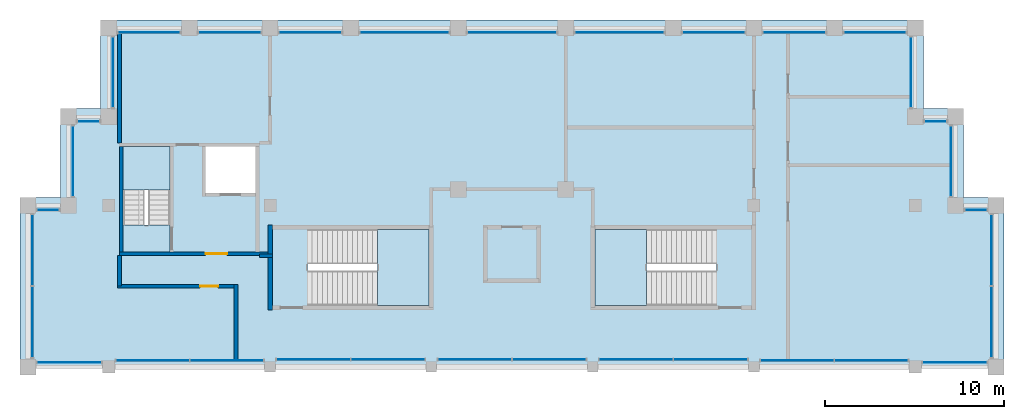
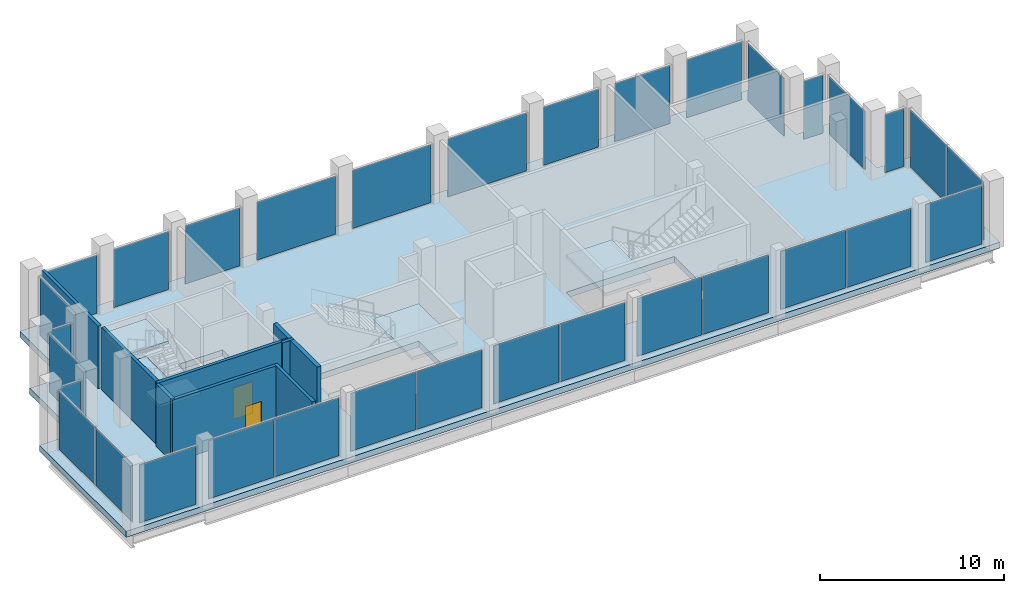
# One storey, part 5 of 8: 33 plates, 8 walls, 6 slabs, 2 doors, 2 openings, 29 elements without a shape of their own.
"""IFC4 building model written with IfcOpenShell, lengths in metres."""

from ifc_helpers import new_model, si_unit, direction, frame, frame_2d, origin, origin_2d, place, context, subcontext, project, spatial, polyline, rectangle, outline, extrude, material, layer, layer_set, type_object, element, fill, aggregate, save


model = new_model("IFC4")

# Units and contexts
model_context = context("Model", 3, precision=1e-05, world=origin(), true_north=direction((0.0, 1.0)))
body_context = subcontext(model_context, "Body", "Model", "MODEL_VIEW")
ifc_project = project(units=[si_unit("LENGTHUNIT", "METRE"), si_unit("AREAUNIT", "SQUARE_METRE"), si_unit("VOLUMEUNIT", "CUBIC_METRE"), si_unit("PLANEANGLEUNIT", "RADIAN"), si_unit("MASSUNIT", "GRAM", prefix="KILO")], contexts=[model_context])

# Site, building, storey
site_placement = place(None, origin())
site = spatial("IfcSite", under=ifc_project, at=site_placement, CompositionType="ELEMENT")
building_placement = place(site_placement, origin())
building = spatial("IfcBuilding", under=site, at=building_placement, Name="Corbelhall Arena Tower", CompositionType="ELEMENT")
storey_placement = place(building_placement, frame((0.0, 0.0, 381.0)))
storey = spatial("IfcBuildingStorey", under=building, at=storey_placement, Name="L82", CompositionType="ELEMENT", Elevation=381.0)

# Curtain wall, plate
ifc_material_1 = material(Name="Aluminium black anodised", Category="aluminium")
ifc_layer_1 = layer(ifc_material_1, 0.179931640625)
ifc_layer_set_1 = layer_set([ifc_layer_1], Name="EV-CW3 Crown glazing")
curtain_wall_type = type_object("IfcCurtainWallType", Name="EV-CW3 Crown glazing", PredefinedType="NOTDEFINED", material=ifc_layer_set_1)
curtain_wall_1_placement = place(storey_placement, origin())
curtain_wall_1 = element("IfcCurtainWall", 1, at=curtain_wall_1_placement, inside=storey, type_object=curtain_wall_type, Name="Curtain wall CW3", PredefinedType="NOTDEFINED")
ifc_material_2 = material(Name="Glass dark tinted laminated", Category="glass")
ifc_layer_2 = layer(ifc_material_2, 0.028076171875)
ifc_layer_set_2 = layer_set([ifc_layer_2], Name="EV-CW3-PANEL")
plate_type = type_object("IfcPlateType", Name="EV-CW3-PANEL", PredefinedType="CURTAIN_PANEL", material=ifc_layer_set_2)
plate_1_placement = place(storey_placement, frame((-24.5, 20.47509765625, 0.074951171875), z_axis=(0.0, 0.0, 1.0), x_axis=(0.0, -1.0, 0.0)))
plate_1 = element("IfcPlate", 2, at=plate_1_placement, type_object=plate_type, Name="CW3 panel 1.1", PredefinedType="CURTAIN_PANEL", context=body_context, shape_type="SweptSolid", body=[
    extrude(rectangle(XDim=3.89990234375, YDim=0.028076171875, at=origin_2d()), origin(), (0.0, 0.0, 1.0), 3.849609375),
])
aggregate(curtain_wall_1, [plate_1])

curtain_wall_2_placement = place(storey_placement, origin())
curtain_wall_2 = element("IfcCurtainWall", 3, at=curtain_wall_2_placement, inside=storey, type_object=curtain_wall_type, Name="Curtain wall CW3B", PredefinedType="NOTDEFINED")
plate_2_placement = place(storey_placement, frame((-25.875, 17.75, 0.074951171875), z_axis=(0.0, 0.0, 1.0), x_axis=(-1.0, 0.0, 0.0)))
plate_2 = element("IfcPlate", 4, at=plate_2_placement, type_object=plate_type, Name="CW3B panel 1.1", PredefinedType="CURTAIN_PANEL", context=body_context, shape_type="SweptSolid", body=[
    extrude(rectangle(XDim=1.199951171875, YDim=0.028076171875, at=origin_2d()), origin(), (0.0, 0.0, 1.0), 3.849609375),
])
aggregate(curtain_wall_2, [plate_2])

# Curtain wall, plates
curtain_wall_3_placement = place(storey_placement, origin())
curtain_wall_3 = element("IfcCurtainWall", 5, at=curtain_wall_3_placement, inside=storey, type_object=curtain_wall_type, Name="Curtain wall CW3", PredefinedType="NOTDEFINED")
plate_3_placement = place(storey_placement, frame((-26.75, 15.50634765625, 0.074951171875), z_axis=(0.0, 0.0, 1.0), x_axis=(0.0, -1.0, 0.0)))
plate_3 = element("IfcPlate", 6, at=plate_3_placement, type_object=plate_type, Name="CW3 panel 1.1", PredefinedType="CURTAIN_PANEL", context=body_context, shape_type="SweptSolid", body=[
    extrude(rectangle(XDim=3.9375, YDim=0.028076171875, at=origin_2d()), origin(), (0.0, 0.0, 1.0), 3.849609375),
])
plate_4_placement = place(storey_placement, frame((-26.75, 11.49365234375, 0.074951171875), z_axis=(0.0, 0.0, 1.0), x_axis=(0.0, -1.0, 0.0)))
plate_4 = element("IfcPlate", 7, at=plate_4_placement, type_object=plate_type, Name="CW3 panel 2.1", PredefinedType="CURTAIN_PANEL", context=body_context, shape_type="SweptSolid", body=[
    extrude(rectangle(XDim=3.9375, YDim=0.028076171875, at=origin_2d()), origin(), (0.0, 0.0, 1.0), 3.849609375),
])
aggregate(curtain_wall_3, [plate_3, plate_4])

# Curtain wall, plate
curtain_wall_4_placement = place(storey_placement, origin())
curtain_wall_4 = element("IfcCurtainWall", 8, at=curtain_wall_4_placement, inside=storey, type_object=curtain_wall_type, Name="Curtain wall CW3E", PredefinedType="NOTDEFINED")
plate_5_placement = place(storey_placement, frame((-24.699951171875, 9.25, 0.074951171875), z_axis=(0.0, 0.0, 1.0), x_axis=(1.0, 0.0, 0.0)))
plate_5 = element("IfcPlate", 9, at=plate_5_placement, type_object=plate_type, Name="CW3E panel 1.1", PredefinedType="CURTAIN_PANEL", context=body_context, shape_type="SweptSolid", body=[
    extrude(rectangle(XDim=3.550048828125, YDim=0.028076171875, at=origin_2d()), origin(), (0.0, 0.0, 1.0), 3.849609375),
])
aggregate(curtain_wall_4, [plate_5])

# Curtain wall, plates
curtain_wall_5_placement = place(storey_placement, origin())
curtain_wall_5 = element("IfcCurtainWall", 10, at=curtain_wall_5_placement, inside=storey, type_object=curtain_wall_type, Name="Curtain wall CW3F", PredefinedType="NOTDEFINED")
plate_6_placement = place(storey_placement, frame((-20.043701171875, 9.35009765625, 0.074951171875), z_axis=(0.0, 0.0, 1.0), x_axis=(1.0, 0.0, 0.0)))
plate_6 = element("IfcPlate", 11, at=plate_6_placement, type_object=plate_type, Name="CW3F panel 1.1", PredefinedType="CURTAIN_PANEL", context=body_context, shape_type="SweptSolid", body=[
    extrude(rectangle(XDim=4.0625, YDim=0.028076171875, at=origin_2d()), origin(), (0.0, 0.0, 1.0), 3.849609375),
])
plate_7_placement = place(storey_placement, frame((-15.90625, 9.35009765625, 0.074951171875), z_axis=(0.0, 0.0, 1.0), x_axis=(1.0, 0.0, 0.0)))
plate_7 = element("IfcPlate", 12, at=plate_7_placement, type_object=plate_type, Name="CW3F panel 2.1", PredefinedType="CURTAIN_PANEL", context=body_context, shape_type="SweptSolid", body=[
    extrude(rectangle(XDim=4.0625, YDim=0.028076171875, at=origin_2d()), origin(), (0.0, 0.0, 1.0), 3.849609375),
])
aggregate(curtain_wall_5, [plate_6, plate_7])

curtain_wall_6_placement = place(storey_placement, origin())
curtain_wall_6 = element("IfcCurtainWall", 13, at=curtain_wall_6_placement, inside=storey, type_object=curtain_wall_type, Name="Curtain wall CW3D", PredefinedType="NOTDEFINED")
plate_8_placement = place(storey_placement, frame((-11.081298828125, 9.39990234375, 0.074951171875), z_axis=(0.0, 0.0, 1.0), x_axis=(1.0, 0.0, 0.0)))
plate_8 = element("IfcPlate", 14, at=plate_8_placement, type_object=plate_type, Name="CW3D panel 1.1", PredefinedType="CURTAIN_PANEL", context=body_context, shape_type="SweptSolid", body=[
    extrude(rectangle(XDim=4.08740234375, YDim=0.028076171875, at=origin_2d()), origin(), (0.0, 0.0, 1.0), 3.849609375),
])
plate_9_placement = place(storey_placement, frame((-6.918701171875, 9.39990234375, 0.074951171875), z_axis=(0.0, 0.0, 1.0), x_axis=(1.0, 0.0, 0.0)))
plate_9 = element("IfcPlate", 15, at=plate_9_placement, type_object=plate_type, Name="CW3D panel 2.1", PredefinedType="CURTAIN_PANEL", context=body_context, shape_type="SweptSolid", body=[
    extrude(rectangle(XDim=4.08740234375, YDim=0.028076171875, at=origin_2d()), origin(), (0.0, 0.0, 1.0), 3.849609375),
])
aggregate(curtain_wall_6, [plate_8, plate_9])

curtain_wall_7_placement = place(storey_placement, origin())
curtain_wall_7 = element("IfcCurtainWall", 16, at=curtain_wall_7_placement, inside=storey, type_object=curtain_wall_type, Name="Curtain wall CW3D", PredefinedType="NOTDEFINED")
plate_10_placement = place(storey_placement, frame((-2.081298828125, 9.39990234375, 0.074951171875), z_axis=(0.0, 0.0, 1.0), x_axis=(1.0, 0.0, 0.0)))
plate_10 = element("IfcPlate", 17, at=plate_10_placement, type_object=plate_type, Name="CW3D panel 1.1", PredefinedType="CURTAIN_PANEL", context=body_context, shape_type="SweptSolid", body=[
    extrude(rectangle(XDim=4.08740234375, YDim=0.028076171875, at=origin_2d()), origin(), (0.0, 0.0, 1.0), 3.849609375),
])
plate_11_placement = place(storey_placement, frame((2.081298828125, 9.39990234375, 0.074951171875), z_axis=(0.0, 0.0, 1.0), x_axis=(1.0, 0.0, 0.0)))
plate_11 = element("IfcPlate", 18, at=plate_11_placement, type_object=plate_type, Name="CW3D panel 2.1", PredefinedType="CURTAIN_PANEL", context=body_context, shape_type="SweptSolid", body=[
    extrude(rectangle(XDim=4.08740234375, YDim=0.028076171875, at=origin_2d()), origin(), (0.0, 0.0, 1.0), 3.849609375),
])
aggregate(curtain_wall_7, [plate_10, plate_11])

curtain_wall_8_placement = place(storey_placement, origin())
curtain_wall_8 = element("IfcCurtainWall", 19, at=curtain_wall_8_placement, inside=storey, type_object=curtain_wall_type, Name="Curtain wall CW3D", PredefinedType="NOTDEFINED")
plate_12_placement = place(storey_placement, frame((6.918701171875, 9.39990234375, 0.074951171875), z_axis=(0.0, 0.0, 1.0), x_axis=(1.0, 0.0, 0.0)))
plate_12 = element("IfcPlate", 20, at=plate_12_placement, type_object=plate_type, Name="CW3D panel 1.1", PredefinedType="CURTAIN_PANEL", context=body_context, shape_type="SweptSolid", body=[
    extrude(rectangle(XDim=4.08740234375, YDim=0.028076171875, at=origin_2d()), origin(), (0.0, 0.0, 1.0), 3.849609375),
])
plate_13_placement = place(storey_placement, frame((11.081298828125, 9.39990234375, 0.074951171875), z_axis=(0.0, 0.0, 1.0), x_axis=(1.0, 0.0, 0.0)))
plate_13 = element("IfcPlate", 21, at=plate_13_placement, type_object=plate_type, Name="CW3D panel 2.1", PredefinedType="CURTAIN_PANEL", context=body_context, shape_type="SweptSolid", body=[
    extrude(rectangle(XDim=4.08740234375, YDim=0.028076171875, at=origin_2d()), origin(), (0.0, 0.0, 1.0), 3.849609375),
])
aggregate(curtain_wall_8, [plate_12, plate_13])

curtain_wall_9_placement = place(storey_placement, origin())
curtain_wall_9 = element("IfcCurtainWall", 22, at=curtain_wall_9_placement, inside=storey, type_object=curtain_wall_type, Name="Curtain wall CW3F", PredefinedType="NOTDEFINED")
plate_14_placement = place(storey_placement, frame((15.90625, 9.35009765625, 0.074951171875), z_axis=(0.0, 0.0, 1.0), x_axis=(1.0, 0.0, 0.0)))
plate_14 = element("IfcPlate", 23, at=plate_14_placement, type_object=plate_type, Name="CW3F panel 1.1", PredefinedType="CURTAIN_PANEL", context=body_context, shape_type="SweptSolid", body=[
    extrude(rectangle(XDim=4.0625, YDim=0.028076171875, at=origin_2d()), origin(), (0.0, 0.0, 1.0), 3.849609375),
])
plate_15_placement = place(storey_placement, frame((20.043701171875, 9.35009765625, 0.074951171875), z_axis=(0.0, 0.0, 1.0), x_axis=(1.0, 0.0, 0.0)))
plate_15 = element("IfcPlate", 24, at=plate_15_placement, type_object=plate_type, Name="CW3F panel 2.1", PredefinedType="CURTAIN_PANEL", context=body_context, shape_type="SweptSolid", body=[
    extrude(rectangle(XDim=4.0625, YDim=0.028076171875, at=origin_2d()), origin(), (0.0, 0.0, 1.0), 3.849609375),
])
aggregate(curtain_wall_9, [plate_14, plate_15])

# Curtain wall, plate
curtain_wall_10_placement = place(storey_placement, origin())
curtain_wall_10 = element("IfcCurtainWall", 25, at=curtain_wall_10_placement, inside=storey, type_object=curtain_wall_type, Name="Curtain wall CW3E", PredefinedType="NOTDEFINED")
plate_16_placement = place(storey_placement, frame((24.699951171875, 9.25, 0.074951171875), z_axis=(0.0, 0.0, 1.0), x_axis=(1.0, 0.0, 0.0)))
plate_16 = element("IfcPlate", 26, at=plate_16_placement, type_object=plate_type, Name="CW3E panel 1.1", PredefinedType="CURTAIN_PANEL", context=body_context, shape_type="SweptSolid", body=[
    extrude(rectangle(XDim=3.550048828125, YDim=0.028076171875, at=origin_2d()), origin(), (0.0, 0.0, 1.0), 3.849609375),
])
aggregate(curtain_wall_10, [plate_16])

# Curtain wall, plates
curtain_wall_11_placement = place(storey_placement, origin())
curtain_wall_11 = element("IfcCurtainWall", 27, at=curtain_wall_11_placement, inside=storey, type_object=curtain_wall_type, Name="Curtain wall CW3", PredefinedType="NOTDEFINED")
plate_17_placement = place(storey_placement, frame((26.75, 11.49365234375, 0.074951171875), z_axis=(0.0, 0.0, 1.0), x_axis=(0.0, 1.0, 0.0)))
plate_17 = element("IfcPlate", 28, at=plate_17_placement, type_object=plate_type, Name="CW3 panel 1.1", PredefinedType="CURTAIN_PANEL", context=body_context, shape_type="SweptSolid", body=[
    extrude(rectangle(XDim=3.9375, YDim=0.028076171875, at=origin_2d()), origin(), (0.0, 0.0, 1.0), 3.849609375),
])
plate_18_placement = place(storey_placement, frame((26.75, 15.50634765625, 0.074951171875), z_axis=(0.0, 0.0, 1.0), x_axis=(0.0, 1.0, 0.0)))
plate_18 = element("IfcPlate", 29, at=plate_18_placement, type_object=plate_type, Name="CW3 panel 2.1", PredefinedType="CURTAIN_PANEL", context=body_context, shape_type="SweptSolid", body=[
    extrude(rectangle(XDim=3.9375, YDim=0.028076171875, at=origin_2d()), origin(), (0.0, 0.0, 1.0), 3.849609375),
])
aggregate(curtain_wall_11, [plate_17, plate_18])

# Curtain wall, plate
curtain_wall_12_placement = place(storey_placement, origin())
curtain_wall_12 = element("IfcCurtainWall", 30, at=curtain_wall_12_placement, inside=storey, type_object=curtain_wall_type, Name="Curtain wall CW3B", PredefinedType="NOTDEFINED")
plate_19_placement = place(storey_placement, frame((25.875, 17.75, 0.074951171875), z_axis=(0.0, 0.0, 1.0), x_axis=(-1.0, 0.0, 0.0)))
plate_19 = element("IfcPlate", 31, at=plate_19_placement, type_object=plate_type, Name="CW3B panel 1.1", PredefinedType="CURTAIN_PANEL", context=body_context, shape_type="SweptSolid", body=[
    extrude(rectangle(XDim=1.199951171875, YDim=0.028076171875, at=origin_2d()), origin(), (0.0, 0.0, 1.0), 3.849609375),
])
aggregate(curtain_wall_12, [plate_19])

curtain_wall_13_placement = place(storey_placement, origin())
curtain_wall_13 = element("IfcCurtainWall", 32, at=curtain_wall_13_placement, inside=storey, type_object=curtain_wall_type, Name="Curtain wall CW3", PredefinedType="NOTDEFINED")
plate_20_placement = place(storey_placement, frame((24.5, 20.47509765625, 0.074951171875), z_axis=(0.0, 0.0, 1.0), x_axis=(0.0, 1.0, 0.0)))
plate_20 = element("IfcPlate", 33, at=plate_20_placement, type_object=plate_type, Name="CW3 panel 1.1", PredefinedType="CURTAIN_PANEL", context=body_context, shape_type="SweptSolid", body=[
    extrude(rectangle(XDim=3.89990234375, YDim=0.028076171875, at=origin_2d()), origin(), (0.0, 0.0, 1.0), 3.849609375),
])
aggregate(curtain_wall_13, [plate_20])

curtain_wall_14_placement = place(storey_placement, origin())
curtain_wall_14 = element("IfcCurtainWall", 34, at=curtain_wall_14_placement, inside=storey, type_object=curtain_wall_type, Name="Curtain wall CW3B", PredefinedType="NOTDEFINED")
plate_21_placement = place(storey_placement, frame((23.625, 22.699951171875, 0.074951171875), z_axis=(0.0, 0.0, 1.0), x_axis=(-1.0, 0.0, 0.0)))
plate_21 = element("IfcPlate", 35, at=plate_21_placement, type_object=plate_type, Name="CW3B panel 1.1", PredefinedType="CURTAIN_PANEL", context=body_context, shape_type="SweptSolid", body=[
    extrude(rectangle(XDim=1.199951171875, YDim=0.028076171875, at=origin_2d()), origin(), (0.0, 0.0, 1.0), 3.849609375),
])
aggregate(curtain_wall_14, [plate_21])

curtain_wall_15_placement = place(storey_placement, origin())
curtain_wall_15 = element("IfcCurtainWall", 36, at=curtain_wall_15_placement, inside=storey, type_object=curtain_wall_type, Name="Curtain wall CW3", PredefinedType="NOTDEFINED")
plate_22_placement = place(storey_placement, frame((22.25, 25.425048828125, 0.074951171875), z_axis=(0.0, 0.0, 1.0), x_axis=(0.0, 1.0, 0.0)))
plate_22 = element("IfcPlate", 37, at=plate_22_placement, type_object=plate_type, Name="CW3 panel 1.1", PredefinedType="CURTAIN_PANEL", context=body_context, shape_type="SweptSolid", body=[
    extrude(rectangle(XDim=3.89990234375, YDim=0.028076171875, at=origin_2d()), origin(), (0.0, 0.0, 1.0), 3.849609375),
])
aggregate(curtain_wall_15, [plate_22])

curtain_wall_16_placement = place(storey_placement, origin())
curtain_wall_16 = element("IfcCurtainWall", 38, at=curtain_wall_16_placement, inside=storey, type_object=curtain_wall_type, Name="Curtain wall CW3A", PredefinedType="NOTDEFINED")
plate_23_placement = place(storey_placement, frame((20.25, 27.64990234375, 0.074951171875), z_axis=(0.0, 0.0, 1.0), x_axis=(-1.0, 0.0, 0.0)))
plate_23 = element("IfcPlate", 39, at=plate_23_placement, type_object=plate_type, Name="CW3A panel 1.1", PredefinedType="CURTAIN_PANEL", context=body_context, shape_type="SweptSolid", body=[
    extrude(rectangle(XDim=3.449951171875, YDim=0.028076171875, at=origin_2d()), origin(), (0.0, 0.0, 1.0), 3.849609375),
])
aggregate(curtain_wall_16, [plate_23])

curtain_wall_17_placement = place(storey_placement, origin())
curtain_wall_17 = element("IfcCurtainWall", 40, at=curtain_wall_17_placement, inside=storey, type_object=curtain_wall_type, Name="Curtain wall CW3A", PredefinedType="NOTDEFINED")
plate_24_placement = place(storey_placement, frame((15.75, 27.64990234375, 0.074951171875), z_axis=(0.0, 0.0, 1.0), x_axis=(-1.0, 0.0, 0.0)))
plate_24 = element("IfcPlate", 41, at=plate_24_placement, type_object=plate_type, Name="CW3A panel 1.1", PredefinedType="CURTAIN_PANEL", context=body_context, shape_type="SweptSolid", body=[
    extrude(rectangle(XDim=3.449951171875, YDim=0.028076171875, at=origin_2d()), origin(), (0.0, 0.0, 1.0), 3.849609375),
])
aggregate(curtain_wall_17, [plate_24])

curtain_wall_18_placement = place(storey_placement, origin())
curtain_wall_18 = element("IfcCurtainWall", 42, at=curtain_wall_18_placement, inside=storey, type_object=curtain_wall_type, Name="Curtain wall CW3A", PredefinedType="NOTDEFINED")
plate_25_placement = place(storey_placement, frame((11.25, 27.64990234375, 0.074951171875), z_axis=(0.0, 0.0, 1.0), x_axis=(-1.0, 0.0, 0.0)))
plate_25 = element("IfcPlate", 43, at=plate_25_placement, type_object=plate_type, Name="CW3A panel 1.1", PredefinedType="CURTAIN_PANEL", context=body_context, shape_type="SweptSolid", body=[
    extrude(rectangle(XDim=3.449951171875, YDim=0.028076171875, at=origin_2d()), origin(), (0.0, 0.0, 1.0), 3.849609375),
])
aggregate(curtain_wall_18, [plate_25])

curtain_wall_19_placement = place(storey_placement, origin())
curtain_wall_19 = element("IfcCurtainWall", 44, at=curtain_wall_19_placement, inside=storey, type_object=curtain_wall_type, Name="Curtain wall CW3C", PredefinedType="NOTDEFINED")
plate_26_placement = place(storey_placement, frame((6.0, 27.64990234375, 0.074951171875), z_axis=(0.0, 0.0, 1.0), x_axis=(-1.0, 0.0, 0.0)))
plate_26 = element("IfcPlate", 45, at=plate_26_placement, type_object=plate_type, Name="CW3C panel 1.1", PredefinedType="CURTAIN_PANEL", context=body_context, shape_type="SweptSolid", body=[
    extrude(rectangle(XDim=4.949951171875, YDim=0.028076171875, at=origin_2d()), origin(), (0.0, 0.0, 1.0), 3.849609375),
])
aggregate(curtain_wall_19, [plate_26])

curtain_wall_20_placement = place(storey_placement, origin())
curtain_wall_20 = element("IfcCurtainWall", 46, at=curtain_wall_20_placement, inside=storey, type_object=curtain_wall_type, Name="Curtain wall CW3C", PredefinedType="NOTDEFINED")
plate_27_placement = place(storey_placement, frame((0.0, 27.64990234375, 0.074951171875), z_axis=(0.0, 0.0, 1.0), x_axis=(-1.0, 0.0, 0.0)))
plate_27 = element("IfcPlate", 47, at=plate_27_placement, type_object=plate_type, Name="CW3C panel 1.1", PredefinedType="CURTAIN_PANEL", context=body_context, shape_type="SweptSolid", body=[
    extrude(rectangle(XDim=4.949951171875, YDim=0.028076171875, at=origin_2d()), origin(), (0.0, 0.0, 1.0), 3.849609375),
])
aggregate(curtain_wall_20, [plate_27])

curtain_wall_21_placement = place(storey_placement, origin())
curtain_wall_21 = element("IfcCurtainWall", 48, at=curtain_wall_21_placement, inside=storey, type_object=curtain_wall_type, Name="Curtain wall CW3C", PredefinedType="NOTDEFINED")
plate_28_placement = place(storey_placement, frame((-6.0, 27.64990234375, 0.074951171875), z_axis=(0.0, 0.0, 1.0), x_axis=(-1.0, 0.0, 0.0)))
plate_28 = element("IfcPlate", 49, at=plate_28_placement, type_object=plate_type, Name="CW3C panel 1.1", PredefinedType="CURTAIN_PANEL", context=body_context, shape_type="SweptSolid", body=[
    extrude(rectangle(XDim=4.949951171875, YDim=0.028076171875, at=origin_2d()), origin(), (0.0, 0.0, 1.0), 3.849609375),
])
aggregate(curtain_wall_21, [plate_28])

curtain_wall_22_placement = place(storey_placement, origin())
curtain_wall_22 = element("IfcCurtainWall", 50, at=curtain_wall_22_placement, inside=storey, type_object=curtain_wall_type, Name="Curtain wall CW3A", PredefinedType="NOTDEFINED")
plate_29_placement = place(storey_placement, frame((-11.25, 27.64990234375, 0.074951171875), z_axis=(0.0, 0.0, 1.0), x_axis=(-1.0, 0.0, 0.0)))
plate_29 = element("IfcPlate", 51, at=plate_29_placement, type_object=plate_type, Name="CW3A panel 1.1", PredefinedType="CURTAIN_PANEL", context=body_context, shape_type="SweptSolid", body=[
    extrude(rectangle(XDim=3.449951171875, YDim=0.028076171875, at=origin_2d()), origin(), (0.0, 0.0, 1.0), 3.849609375),
])
aggregate(curtain_wall_22, [plate_29])

curtain_wall_23_placement = place(storey_placement, origin())
curtain_wall_23 = element("IfcCurtainWall", 52, at=curtain_wall_23_placement, inside=storey, type_object=curtain_wall_type, Name="Curtain wall CW3A", PredefinedType="NOTDEFINED")
plate_30_placement = place(storey_placement, frame((-15.75, 27.64990234375, 0.074951171875), z_axis=(0.0, 0.0, 1.0), x_axis=(-1.0, 0.0, 0.0)))
plate_30 = element("IfcPlate", 53, at=plate_30_placement, type_object=plate_type, Name="CW3A panel 1.1", PredefinedType="CURTAIN_PANEL", context=body_context, shape_type="SweptSolid", body=[
    extrude(rectangle(XDim=3.449951171875, YDim=0.028076171875, at=origin_2d()), origin(), (0.0, 0.0, 1.0), 3.849609375),
])
aggregate(curtain_wall_23, [plate_30])

curtain_wall_24_placement = place(storey_placement, origin())
curtain_wall_24 = element("IfcCurtainWall", 54, at=curtain_wall_24_placement, inside=storey, type_object=curtain_wall_type, Name="Curtain wall CW3A", PredefinedType="NOTDEFINED")
plate_31_placement = place(storey_placement, frame((-20.25, 27.64990234375, 0.074951171875), z_axis=(0.0, 0.0, 1.0), x_axis=(-1.0, 0.0, 0.0)))
plate_31 = element("IfcPlate", 55, at=plate_31_placement, type_object=plate_type, Name="CW3A panel 1.1", PredefinedType="CURTAIN_PANEL", context=body_context, shape_type="SweptSolid", body=[
    extrude(rectangle(XDim=3.449951171875, YDim=0.028076171875, at=origin_2d()), origin(), (0.0, 0.0, 1.0), 3.849609375),
])
aggregate(curtain_wall_24, [plate_31])

curtain_wall_25_placement = place(storey_placement, origin())
curtain_wall_25 = element("IfcCurtainWall", 56, at=curtain_wall_25_placement, inside=storey, type_object=curtain_wall_type, Name="Curtain wall CW3", PredefinedType="NOTDEFINED")
plate_32_placement = place(storey_placement, frame((-22.25, 25.425048828125, 0.074951171875), z_axis=(0.0, 0.0, 1.0), x_axis=(0.0, -1.0, 0.0)))
plate_32 = element("IfcPlate", 57, at=plate_32_placement, type_object=plate_type, Name="CW3 panel 1.1", PredefinedType="CURTAIN_PANEL", context=body_context, shape_type="SweptSolid", body=[
    extrude(rectangle(XDim=3.89990234375, YDim=0.028076171875, at=origin_2d()), origin(), (0.0, 0.0, 1.0), 3.849609375),
])
aggregate(curtain_wall_25, [plate_32])

curtain_wall_26_placement = place(storey_placement, origin())
curtain_wall_26 = element("IfcCurtainWall", 58, at=curtain_wall_26_placement, inside=storey, type_object=curtain_wall_type, Name="Curtain wall CW3B", PredefinedType="NOTDEFINED")
plate_33_placement = place(storey_placement, frame((-23.625, 22.699951171875, 0.074951171875), z_axis=(0.0, 0.0, 1.0), x_axis=(-1.0, 0.0, 0.0)))
plate_33 = element("IfcPlate", 59, at=plate_33_placement, type_object=plate_type, Name="CW3B panel 1.1", PredefinedType="CURTAIN_PANEL", context=body_context, shape_type="SweptSolid", body=[
    extrude(rectangle(XDim=1.199951171875, YDim=0.028076171875, at=origin_2d()), origin(), (0.0, 0.0, 1.0), 3.849609375),
])
aggregate(curtain_wall_26, [plate_33])

# Stair, slab
ifc_material_3 = material(Name="Concrete C40/50", Category="concrete")
stair_type = type_object("IfcStairType", Name="IN-ST-TOWER", PredefinedType="HALF_TURN_STAIR", material=ifc_material_3)
stair_1_placement = place(storey_placement, origin())
stair_1 = element("IfcStair", 60, at=stair_1_placement, inside=storey, type_object=stair_type, Name="L82 Exit stair ST1", PredefinedType="HALF_TURN_STAIR")
ifc_layer_3 = layer(ifc_material_3, 0.199951171875)
ifc_layer_set_3 = layer_set([ifc_layer_3], Name="IN-SL-LANDING")
slab_type_1 = type_object("IfcSlabType", Name="IN-SL-LANDING", PredefinedType="LANDING", material=ifc_layer_set_3)
slab_1_placement = place(storey_placement, frame((0.0, 0.0, 2.300048828125)))
slab_1 = element("IfcSlab", 61, at=slab_1_placement, type_object=slab_type_1, Name="ST1 landing 1", PredefinedType="LANDING", context=body_context, shape_type="SweptSolid", body=[
    extrude(outline(polyline([(-7.5048828125, 12.425048828125), (-4.625, 12.425048828125), (-4.625, 16.675048828125), (-7.5048828125, 16.675048828125), (-7.5048828125, 12.425048828125)])), origin(), (0.0, 0.0, 1.0), 0.199951171875),
])
aggregate(stair_1, [slab_1])

stair_2_placement = place(storey_placement, origin())
stair_2 = element("IfcStair", 62, at=stair_2_placement, inside=storey, type_object=stair_type, Name="L82 Exit stair ST3", PredefinedType="HALF_TURN_STAIR")
slab_2_placement = place(storey_placement, frame((0.0, 0.0, 2.300048828125)))
slab_2 = element("IfcSlab", 63, at=slab_2_placement, type_object=slab_type_1, Name="ST3 landing 1", PredefinedType="LANDING", context=body_context, shape_type="SweptSolid", body=[
    extrude(outline(polyline([(7.5048828125, 16.675048828125), (4.625, 16.675048828125), (4.625, 12.425048828125), (7.5048828125, 12.425048828125), (7.5048828125, 16.675048828125)])), origin(), (0.0, 0.0, 1.0), 0.199951171875),
])
aggregate(stair_2, [slab_2])

# Stair, slabs
stair_3_placement = place(storey_placement, origin())
stair_3 = element("IfcStair", 64, at=stair_3_placement, inside=storey, type_object=stair_type, Name="L82 Exit stair ST5", PredefinedType="HALF_TURN_STAIR")
slab_3_placement = place(storey_placement, frame((0.0, 0.0, 1.050048828125)))
slab_3 = element("IfcSlab", 65, at=slab_3_placement, type_object=slab_type_1, Name="ST5 landing 1", PredefinedType="LANDING", context=body_context, shape_type="SweptSolid", body=[
    extrude(outline(polyline([(-19.094970703125, 18.860107421875), (-19.094970703125, 21.300048828125), (-21.695068359375, 21.300048828125), (-21.695068359375, 18.860107421875), (-19.094970703125, 18.860107421875)])), origin(), (0.0, 0.0, 1.0), 0.199951171875),
])
slab_4_placement = place(storey_placement, frame((0.0, 0.0, 2.300048828125)))
slab_4 = element("IfcSlab", 66, at=slab_4_placement, type_object=slab_type_1, Name="ST5 landing 2", PredefinedType="LANDING", context=body_context, shape_type="SweptSolid", body=[
    extrude(outline(polyline([(-19.094970703125, 15.39990234375), (-19.094970703125, 16.89990234375), (-21.695068359375, 16.89990234375), (-21.695068359375, 15.39990234375), (-19.094970703125, 15.39990234375)])), origin(), (0.0, 0.0, 1.0), 0.199951171875),
])
slab_5_placement = place(storey_placement, frame((0.0, 0.0, 3.550048828125)))
slab_5 = element("IfcSlab", 67, at=slab_5_placement, type_object=slab_type_1, Name="ST5 landing 3", PredefinedType="LANDING", context=body_context, shape_type="SweptSolid", body=[
    extrude(outline(polyline([(-19.094970703125, 18.860107421875), (-19.094970703125, 21.300048828125), (-21.695068359375, 21.300048828125), (-21.695068359375, 18.860107421875), (-19.094970703125, 18.860107421875)])), origin(), (0.0, 0.0, 1.0), 0.199951171875),
])
aggregate(stair_3, [slab_3, slab_4, slab_5])

# Slab
ifc_layer_4 = layer(ifc_material_3, 0.400390625)
ifc_layer_set_4 = layer_set([ifc_layer_4], Name="ST-SLAB-FLOOR-400")
slab_type_2 = type_object("IfcSlabType", Name="ST-SLAB-FLOOR-400", PredefinedType="FLOOR", material=ifc_layer_set_4)
slab_6_placement = place(storey_placement, frame((0.0, 0.0, -0.400390625)))
element("IfcSlab", 68, at=slab_6_placement, inside=storey, type_object=slab_type_2, Name="Floor slab L82 1", PredefinedType="FLOOR", context=body_context, shape_type="SweptSolid", body=[
    extrude(outline(polyline([(22.949951171875, 23.39990234375), (22.949951171875, 28.35009765625), (-22.949951171875, 28.35009765625), (-22.949951171875, 23.39990234375), (-25.199951171875, 23.39990234375), (-25.199951171875, 18.449951171875), (-27.449951171875, 18.449951171875), (-27.449951171875, 9.0), (27.449951171875, 9.0), (27.449951171875, 18.449951171875), (25.199951171875, 18.449951171875), (25.199951171875, 23.39990234375), (22.949951171875, 23.39990234375)]), holes=[polyline([(-11.422119140625, 12.425048828125), (-4.625, 12.425048828125), (-4.625, 16.675048828125), (-11.422119140625, 16.675048828125), (-11.422119140625, 12.425048828125)]), polyline([(11.422119140625, 12.425048828125), (11.422119140625, 16.675048828125), (4.625, 16.675048828125), (4.625, 12.425048828125), (11.422119140625, 12.425048828125)]), polyline([(-21.695068359375, 21.300048828125), (-21.695068359375, 16.903076171875), (-19.094970703125, 16.903076171875), (-19.094970703125, 21.300048828125), (-21.695068359375, 21.300048828125)]), polyline([(-14.300048828125, 21.300048828125), (-17.10009765625, 21.300048828125), (-17.10009765625, 18.699951171875), (-14.300048828125, 18.699951171875), (-14.300048828125, 21.300048828125)])]), origin(), (0.0, 0.0, 1.0), 0.400390625),
])

# Walls
ifc_material_4 = material(Name="Gypsum board on steel stud, acoustic", Category="steel")
ifc_layer_5 = layer(ifc_material_4, 0.199951171875)
ifc_layer_set_5 = layer_set([ifc_layer_5], Name="IN-W-DM200")
wall_type_1 = type_object("IfcWallType", Name="IN-W-DM200", PredefinedType="PARTITIONING", material=ifc_layer_set_5)
wall_1_placement = place(storey_placement, frame((-21.89990234375, 13.5, 0.0), z_axis=(0.0, 0.0, 1.0), x_axis=(0.0, 1.0, 0.0)))
element("IfcWall", 69, at=wall_1_placement, inside=storey, type_object=wall_type_1, Name="Partition 001", PredefinedType="PARTITIONING", context=body_context, shape_type="SweptSolid", body=[
    extrude(rectangle(XDim=1.699951171875, YDim=0.199951171875, at=frame_2d((0.85009765625, 0.0))), origin(), (0.0, 0.0, 1.0), 4.149658203125),
])
wall_2_placement = place(storey_placement, frame((-21.89990234375, 21.5, 0.0), z_axis=(0.0, 0.0, 1.0), x_axis=(0.0, 1.0, 0.0)))
element("IfcWall", 70, at=wall_2_placement, inside=storey, type_object=wall_type_1, Name="Partition 002", PredefinedType="PARTITIONING", context=body_context, shape_type="SweptSolid", body=[
    extrude(rectangle(XDim=6.135986328125, YDim=0.199951171875, at=frame_2d((3.06787109375, 0.0))), origin(), (0.0, 0.0, 1.0), 4.149658203125),
])
wall_3_placement = place(storey_placement, frame((-15.39990234375, 9.449951171875, 0.0), z_axis=(0.0, 0.0, 1.0), x_axis=(0.0, 1.0, 0.0)))
element("IfcWall", 71, at=wall_3_placement, inside=storey, type_object=wall_type_1, Name="Partition 003", PredefinedType="PARTITIONING", context=body_context, shape_type="SweptSolid", body=[
    extrude(rectangle(XDim=4.150146484375, YDim=0.199951171875, at=frame_2d((2.0751953125, 0.0))), origin(), (0.0, 0.0, 1.0), 4.149658203125),
])

# Wall, opening, door
wall_4_placement = place(storey_placement, frame((-15.39990234375, 13.5, 0.0), z_axis=(0.0, 0.0, 1.0), x_axis=(-1.0, 0.0, 0.0)))
wall_4 = element("IfcWall", 72, at=wall_4_placement, inside=storey, type_object=wall_type_1, Name="Partition 004", PredefinedType="PARTITIONING", context=body_context, shape_type="SweptSolid", body=[
    extrude(rectangle(XDim=6.60009765625, YDim=0.199951171875, at=frame_2d((3.300048828125, 0.0))), origin(), (0.0, 0.0, 1.0), 4.149658203125),
])
opening_1_placement = place(wall_4_placement, frame((1.0, 0.0, 0.0)))
opening_1 = element("IfcOpeningElement", 73, at=opening_1_placement, cuts=wall_4, Name="Opening 36006", PredefinedType="OPENING", context=body_context, shape_type="SweptSolid", body=[
    extrude(rectangle(XDim=1.0, YDim=2.10009765625, at=frame_2d((0.5, 1.050048828125))), frame((0.0, 0.10009765625, 0.0), z_axis=(0.0, -1.0, 0.0), x_axis=(1.0, 0.0, 0.0)), (0.0, 0.0, 1.0), 0.199951171875),
])
ifc_material_5 = material(Name="Steel door set", Category="steel")
door_type_1 = type_object("IfcDoorType", Name="IN-D-SW100", OperationType="NOTDEFINED", PredefinedType="DOOR", material=ifc_material_5)
door_1_placement = place(opening_1_placement, origin())
door_1 = element("IfcDoor", 74, at=door_1_placement, inside=storey, type_object=door_type_1, Name="Door 006", OperationType="SINGLE_SWING_LEFT", OverallHeight=2.10009765625, OverallWidth=1.0, PredefinedType="DOOR", context=body_context, shape_type="SweptSolid", body=[
    extrude(rectangle(XDim=1.0, YDim=2.10009765625, at=frame_2d((0.5, 1.050048828125))), frame((0.0, 0.02490234375, 0.0), z_axis=(0.0, -1.0, 0.0), x_axis=(1.0, 0.0, 0.0)), (0.0, 0.0, 1.0), 0.050048828125),
])
fill(opening_1, door_1)

# Wall
wall_5_placement = place(storey_placement, frame((-14.10009765625, 15.199951171875, 0.0), z_axis=(0.0, 0.0, 1.0), x_axis=(1.0, 0.0, 0.0)))
element("IfcWall", 75, at=wall_5_placement, inside=storey, type_object=wall_type_1, Name="Partition 005", PredefinedType="PARTITIONING", context=body_context, shape_type="SweptSolid", body=[
    extrude(rectangle(XDim=0.72509765625, YDim=0.199951171875, at=frame_2d((0.362548828125, 0.0))), origin(), (0.0, 0.0, 1.0), 4.149658203125),
])

# Wall, opening, door
ifc_layer_6 = layer(ifc_material_3, 0.199951171875)
ifc_layer_set_6 = layer_set([ifc_layer_6], Name="IN-W-EAR200")
wall_type_2 = type_object("IfcWallType", Name="IN-W-EAR200", PredefinedType="SOLIDWALL", material=ifc_layer_set_6)
wall_6_placement = place(storey_placement, frame((-21.89990234375, 15.300048828125, 0.0), z_axis=(0.0, 0.0, 1.0), x_axis=(1.0, 0.0, 0.0)))
wall_6 = element("IfcWall", 76, at=wall_6_placement, inside=storey, type_object=wall_type_2, Name="Fire service turret wall south", PredefinedType="SOLIDWALL", context=body_context, shape_type="SweptSolid", body=[
    extrude(rectangle(XDim=8.27490234375, YDim=0.199951171875, at=frame_2d((4.137451171875, 0.0))), origin(), (0.0, 0.0, 1.0), 4.149658203125),
])
opening_2_placement = place(wall_6_placement, frame((4.800048828125, 0.0, 0.0)))
opening_2 = element("IfcOpeningElement", 77, at=opening_2_placement, cuts=wall_6, Name="Opening E362", PredefinedType="OPENING", context=body_context, shape_type="SweptSolid", body=[
    extrude(rectangle(XDim=1.199951171875, YDim=2.10009765625, at=frame_2d((0.60009765625, 1.050048828125))), frame((0.0, 0.10009765625, 0.0), z_axis=(0.0, -1.0, 0.0), x_axis=(1.0, 0.0, 0.0)), (0.0, 0.0, 1.0), 0.199951171875),
])
door_type_2 = type_object("IfcDoorType", Name="IN-D-ST120", OperationType="NOTDEFINED", PredefinedType="DOOR", material=ifc_material_5)
door_2_placement = place(opening_2_placement, origin())
door_2 = element("IfcDoor", 78, at=door_2_placement, inside=storey, type_object=door_type_2, Name="Door from fire service lift lobby to circulation", OperationType="SINGLE_SWING_RIGHT", OverallHeight=2.10009765625, OverallWidth=1.199951171875, PredefinedType="DOOR", context=body_context, shape_type="SweptSolid", body=[
    extrude(rectangle(XDim=1.199951171875, YDim=2.10009765625, at=frame_2d((0.60009765625, 1.050048828125))), frame((0.0, 0.02490234375, 0.0), z_axis=(0.0, -1.0, 0.0), x_axis=(1.0, 0.0, 0.0)), (0.0, 0.0, 1.0), 0.050048828125),
])
fill(opening_2, door_2)

# Walls
wall_7_placement = place(storey_placement, frame((-21.800048828125, 15.39990234375, 0.0), z_axis=(0.0, 0.0, 1.0), x_axis=(0.0, 1.0, 0.0)))
element("IfcWall", 79, at=wall_7_placement, inside=storey, type_object=wall_type_2, Name="Fire service turret wall west", PredefinedType="SOLIDWALL", context=body_context, shape_type="SweptSolid", body=[
    extrude(rectangle(XDim=5.900146484375, YDim=0.199951171875, at=frame_2d((2.9501953125, 0.0))), origin(), (0.0, 0.0, 1.0), 4.149658203125),
])
ifc_layer_7 = layer(ifc_material_3, 0.25)
ifc_layer_set_7 = layer_set([ifc_layer_7], Name="IN-W-ST250")
wall_type_3 = type_object("IfcWallType", Name="IN-W-ST250", PredefinedType="SOLIDWALL", material=ifc_layer_set_7)
wall_8_placement = place(storey_placement, frame((-13.5, 12.175048828125, 0.0), z_axis=(0.0, 0.0, 1.0), x_axis=(0.0, 1.0, 0.0)))
element("IfcWall", 80, at=wall_8_placement, inside=storey, type_object=wall_type_3, Name="Shaft wall 022", PredefinedType="SOLIDWALL", context=body_context, shape_type="SweptSolid", body=[
    extrude(rectangle(XDim=4.75, YDim=0.25, at=frame_2d((2.375, 0.0))), origin(), (0.0, 0.0, 1.0), 4.149658203125),
])

save(model, "model.ifc")
